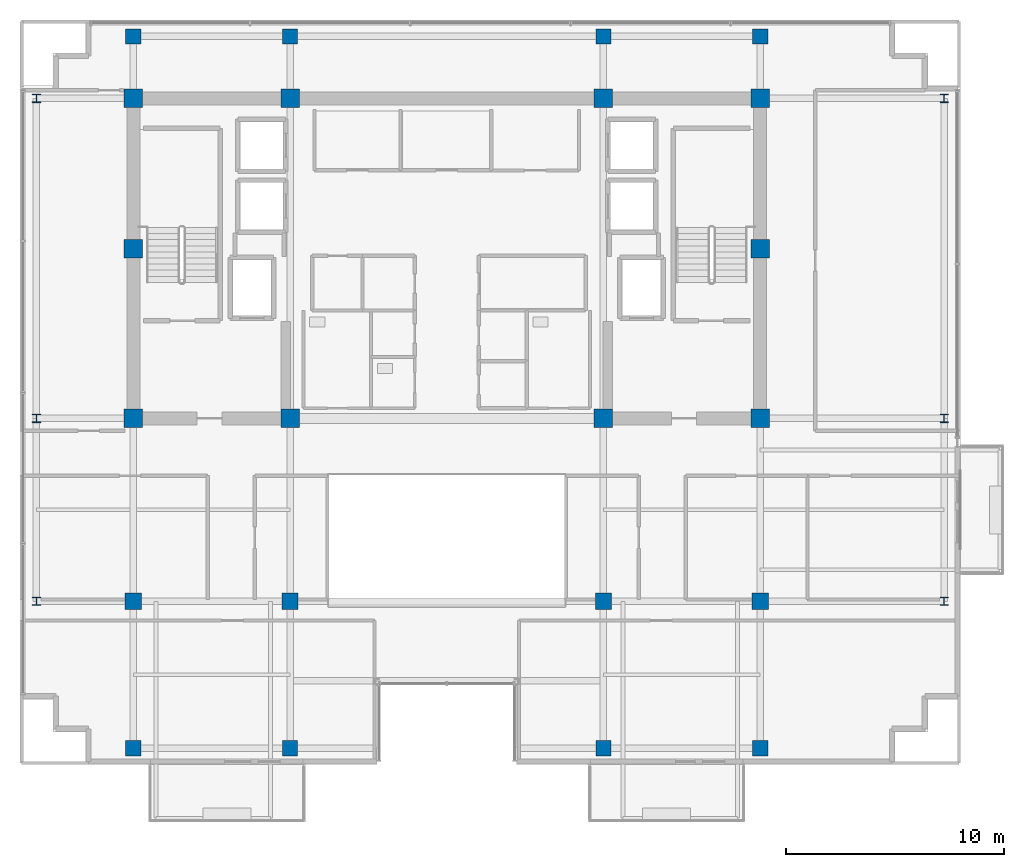
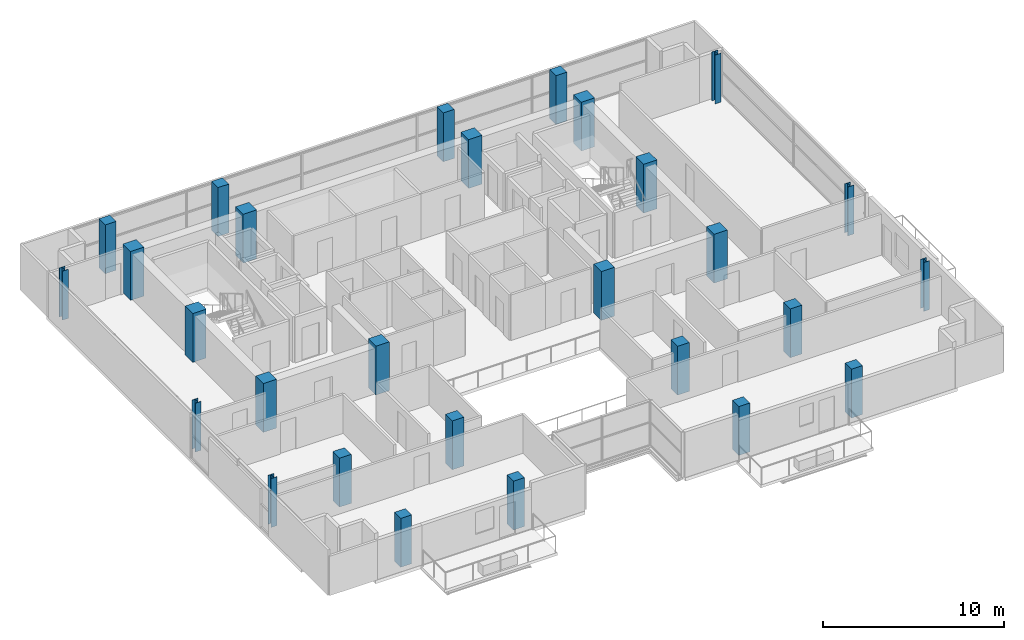
# One storey, part 1 of 22: 28 columns.
"""IFC4 building model written with IfcOpenShell, lengths in metres."""

from ifc_helpers import new_model, si_unit, direction, frame, origin, origin_2d, place, context, subcontext, project, spatial, rectangle, i_section, extrude, material, material_profile, profile_set, type_object, element, save


model = new_model("IFC4")

# Units and contexts
model_context = context("Model", 3, precision=1e-05, world=origin(), true_north=direction((0.0, 1.0)))
body_context = subcontext(model_context, "Body", "Model", "MODEL_VIEW")
ifc_project = project(units=[si_unit("LENGTHUNIT", "METRE"), si_unit("AREAUNIT", "SQUARE_METRE"), si_unit("VOLUMEUNIT", "CUBIC_METRE"), si_unit("PLANEANGLEUNIT", "RADIAN"), si_unit("MASSUNIT", "GRAM", prefix="KILO")], contexts=[model_context])

# Site, building, storey
site_placement = place(None, origin())
site = spatial("IfcSite", under=ifc_project, at=site_placement, CompositionType="ELEMENT")
building_placement = place(site_placement, origin())
building = spatial("IfcBuilding", under=site, at=building_placement, Name="Zarnakvel Exchange Tower", CompositionType="ELEMENT")
storey_placement = place(building_placement, frame((0.0, 0.0, 245.199951171875)))
storey = spatial("IfcBuildingStorey", under=building, at=storey_placement, Name="L69", CompositionType="ELEMENT", Elevation=245.199951171875)

# Columns
ifc_material_1 = material(Name="Concrete C50/60", Category="concrete")
ifc_material_profile_1 = material_profile(ifc_material_1, rectangle(XDim=0.85009765625, YDim=0.85009765625, at=origin_2d()))
ifc_profile_set_1 = profile_set([ifc_material_profile_1], Name="Concrete C50/60")
column_type_1 = type_object("IfcColumnType", Name="CC-03", PredefinedType="COLUMN", material=ifc_profile_set_1)
for number, where, z_axis, x_axis, name in (
    (1, (-14.39990234375, -1.199951171875, 0.0), (0.0, 0.0, 1.0), (1.0, 0.0, 0.0), "L69 Column C-4D (CC-03)"),
    (2, (-7.199951171875, -1.199951171875, 0.0), (0.0, 0.0, 1.0), (1.0, 0.0, 0.0), "L69 Column C-5D (CC-03)"),
    (3, (7.199951171875, -1.199951171875, 0.0), (0.0, 0.0, 1.0), (1.0, 0.0, 0.0), "L69 Column C-8D (CC-03)"),
    (4, (14.39990234375, -1.199951171875, 0.0), (0.0, 0.0, 1.0), (1.0, 0.0, 0.0), "L69 Column C-9D (CC-03)"),
    (5, (-14.39990234375, 6.60009765625, 0.0), (0.0, 0.0, 1.0), (1.0, 0.0, 0.0), "L69 Column C-4E (CC-03)"),
    (6, (14.39990234375, 6.60009765625, 0.0), (0.0, 0.0, 1.0), (1.0, 0.0, 0.0), "L69 Column C-9E (CC-03)"),
    (7, (-14.39990234375, 13.5, 0.0), (0.0, 0.0, 1.0), (1.0, 0.0, 0.0), "L69 Column C-4F (CC-03)"),
    (8, (-7.199951171875, 13.5, 0.0), (0.0, 0.0, 1.0), (1.0, 0.0, 0.0), "L69 Column C-5F (CC-03)"),
    (9, (7.199951171875, 13.5, 0.0), (0.0, 0.0, 1.0), (1.0, 0.0, 0.0), "L69 Column C-8F (CC-03)"),
    (10, (14.39990234375, 13.5, 0.0), (0.0, 0.0, 1.0), (1.0, 0.0, 0.0), "L69 Column C-9F (CC-03)"),
):
    element("IfcColumn", number, at=place(storey_placement, frame(where, z_axis=z_axis, x_axis=x_axis)), inside=storey, type_object=column_type_1, Name=name, PredefinedType="COLUMN", context=body_context, shape_type="SweptSolid", body=[
        extrude(rectangle(XDim=0.85009765625, YDim=0.85009765625, at=origin_2d()), origin(), (0.0, 0.0, 1.0), 3.300048828125),
    ])
ifc_material_2 = material(Name="Steel S355", Category="steel")
ifc_material_profile_2 = material_profile(ifc_material_2, i_section(OverallWidth=0.374755859375, OverallDepth=0.37451171875, WebThickness=0.0166015625, FlangeThickness=0.027099609375, FilletRadius=0.01513671875, at=origin_2d()))
ifc_profile_set_2 = profile_set([ifc_material_profile_2], Name="Steel S355")
column_type_2 = type_object("IfcColumnType", Name="SC-05", PredefinedType="COLUMN", material=ifc_profile_set_2)
for number, where, z_axis, x_axis, name in (
    (11, (-18.85009765625, -9.60009765625, 0.0), (0.0, 0.0, 1.0), (1.0, 0.0, 0.0), "L69 Column TW-C (SC-05)"),
    (12, (22.85009765625, -9.60009765625, 0.0), (0.0, 0.0, 1.0), (1.0, 0.0, 0.0), "L69 Column TE-C (SC-05)"),
    (13, (-18.85009765625, -1.199951171875, 0.0), (0.0, 0.0, 1.0), (1.0, 0.0, 0.0), "L69 Column TW-D (SC-05)"),
    (14, (22.85009765625, -1.199951171875, 0.0), (0.0, 0.0, 1.0), (1.0, 0.0, 0.0), "L69 Column TE-D (SC-05)"),
    (15, (-18.85009765625, 13.5, 0.0), (0.0, 0.0, 1.0), (1.0, 0.0, 0.0), "L69 Column TW-F (SC-05)"),
    (16, (22.85009765625, 13.5, 0.0), (0.0, 0.0, 1.0), (1.0, 0.0, 0.0), "L69 Column TE-F (SC-05)"),
):
    element("IfcColumn", number, at=place(storey_placement, frame(where, z_axis=z_axis, x_axis=x_axis)), inside=storey, type_object=column_type_2, Name=name, PredefinedType="COLUMN", context=body_context, shape_type="SweptSolid", body=[
        extrude(i_section(OverallWidth=0.374755859375, OverallDepth=0.37451171875, WebThickness=0.0166015625, FlangeThickness=0.027099609375, FilletRadius=0.01513671875, at=origin_2d()), origin(), (0.0, 0.0, 1.0), 3.300048828125),
    ])
ifc_material_profile_3 = material_profile(ifc_material_1, rectangle(XDim=0.75, YDim=0.75, at=origin_2d()))
ifc_profile_set_3 = profile_set([ifc_material_profile_3], Name="Concrete C50/60")
column_type_3 = type_object("IfcColumnType", Name="TC-04", PredefinedType="COLUMN", material=ifc_profile_set_3)
for number, where, z_axis, x_axis, name in (
    (17, (-14.39990234375, -9.60009765625, 0.0), (0.0, 0.0, 1.0), (1.0, 0.0, 0.0), "L69 Column T-4C (TC-04)"),
    (18, (-7.199951171875, -9.60009765625, 0.0), (0.0, 0.0, 1.0), (1.0, 0.0, 0.0), "L69 Column T-5C (TC-04)"),
    (19, (7.199951171875, -9.60009765625, 0.0), (0.0, 0.0, 1.0), (1.0, 0.0, 0.0), "L69 Column T-8C (TC-04)"),
    (20, (14.39990234375, -9.60009765625, 0.0), (0.0, 0.0, 1.0), (1.0, 0.0, 0.0), "L69 Column T-9C (TC-04)"),
):
    element("IfcColumn", number, at=place(storey_placement, frame(where, z_axis=z_axis, x_axis=x_axis)), inside=storey, type_object=column_type_3, Name=name, PredefinedType="COLUMN", context=body_context, shape_type="SweptSolid", body=[
        extrude(rectangle(XDim=0.75, YDim=0.75, at=origin_2d()), origin(), (0.0, 0.0, 1.0), 3.300048828125),
    ])
ifc_material_profile_4 = material_profile(ifc_material_1, rectangle(XDim=0.699951171875, YDim=0.699951171875, at=origin_2d()))
ifc_profile_set_4 = profile_set([ifc_material_profile_4], Name="Concrete C50/60")
column_type_4 = type_object("IfcColumnType", Name="TC-05", PredefinedType="COLUMN", material=ifc_profile_set_4)
for number, where, z_axis, x_axis, name in (
    (21, (-14.39990234375, -16.35009765625, 0.0), (0.0, 0.0, 1.0), (1.0, 0.0, 0.0), "L69 Column TS-4 (TC-05)"),
    (22, (-14.39990234375, 16.35009765625, 0.0), (0.0, 0.0, 1.0), (1.0, 0.0, 0.0), "L69 Column TN-4 (TC-05)"),
    (23, (-7.199951171875, -16.35009765625, 0.0), (0.0, 0.0, 1.0), (1.0, 0.0, 0.0), "L69 Column TS-5 (TC-05)"),
    (24, (-7.199951171875, 16.35009765625, 0.0), (0.0, 0.0, 1.0), (1.0, 0.0, 0.0), "L69 Column TN-5 (TC-05)"),
    (25, (7.199951171875, -16.35009765625, 0.0), (0.0, 0.0, 1.0), (1.0, 0.0, 0.0), "L69 Column TS-8 (TC-05)"),
    (26, (7.199951171875, 16.35009765625, 0.0), (0.0, 0.0, 1.0), (1.0, 0.0, 0.0), "L69 Column TN-8 (TC-05)"),
    (27, (14.39990234375, -16.35009765625, 0.0), (0.0, 0.0, 1.0), (1.0, 0.0, 0.0), "L69 Column TS-9 (TC-05)"),
    (28, (14.39990234375, 16.35009765625, 0.0), (0.0, 0.0, 1.0), (1.0, 0.0, 0.0), "L69 Column TN-9 (TC-05)"),
):
    element("IfcColumn", number, at=place(storey_placement, frame(where, z_axis=z_axis, x_axis=x_axis)), inside=storey, type_object=column_type_4, Name=name, PredefinedType="COLUMN", context=body_context, shape_type="SweptSolid", body=[
        extrude(rectangle(XDim=0.699951171875, YDim=0.699951171875, at=origin_2d()), origin(), (0.0, 0.0, 1.0), 3.300048828125),
    ])

save(model, "model.ifc")
